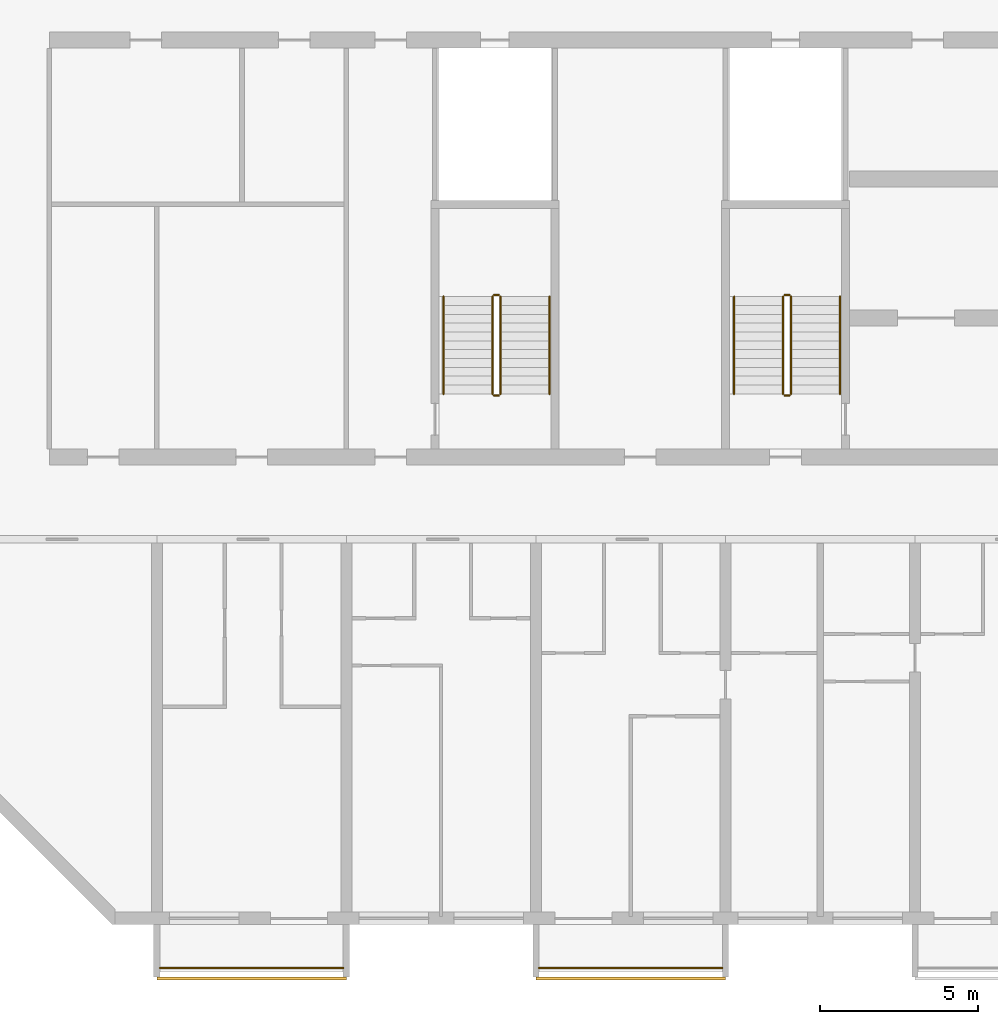
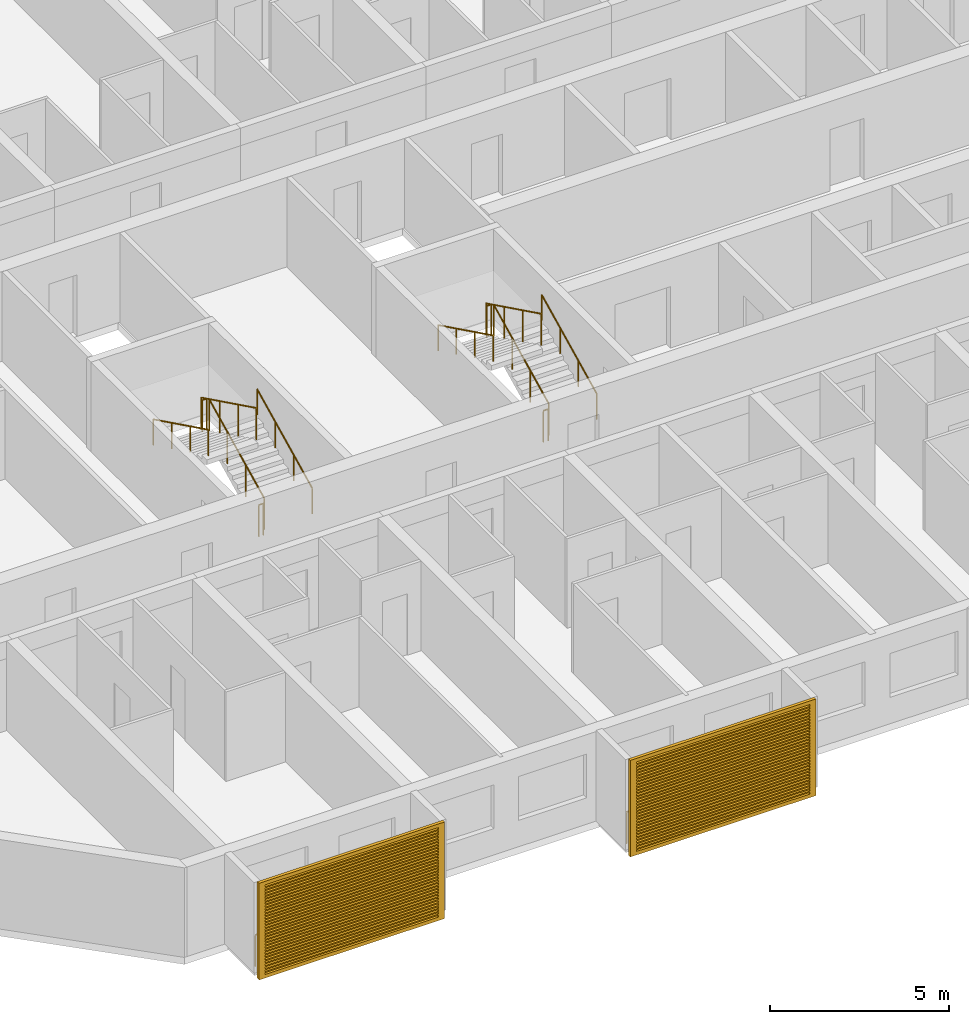
# One storey, part 18 of 31: 14 railings, 2 shading devices.
"""IFC4 building model written with IfcOpenShell, lengths in metres."""

import ifcopenshell
import ifcopenshell.guid

model = None  # the IFC model being written
_history = None  # IfcOwnerHistory: only IFC2X3 demands one
_inside = {}  # id of a spatial element -> (the spatial element, [elements in it])
_under = {}  # id of a project, library or spatial element -> (it, [spatial elements below it])
_declared = {}  # id of a project -> (the project, [libraries it declares])
_typed = {}  # id of a type object -> (the type object, [elements of that type])
_made_of = {}  # id of a material, layer set ... -> (it, [elements and type objects made of it])


def new_model(schema):
    """Start an empty IFC model of exactly this schema.

    Asked for "IFC4X3", IfcOpenShell would pick the latest addendum, in which some entities
    have other attributes; the version numbers below select the first issue.
    IFC2X3 requires an IfcOwnerHistory on every rooted entity: one is made here for all.
    """
    global model, _history
    if schema == "IFC4X3":
        model = ifcopenshell.file(schema_version=(4, 3, 0, 0))
    else:
        model = ifcopenshell.file(schema=schema)
    _inside.clear()
    _under.clear()
    _declared.clear()
    _typed.clear()
    _made_of.clear()
    _history = None
    if model.schema == "IFC2X3":
        org = make("IfcOrganization", Name="unknown")
        user = make(
            "IfcPersonAndOrganization",
            ThePerson=make("IfcPerson", FamilyName="unknown"),
            TheOrganization=org,
        )
        app = make(
            "IfcApplication",
            ApplicationDeveloper=org,
            Version="unknown",
            ApplicationFullName="unknown",
            ApplicationIdentifier="unknown",
        )
        _history = make(
            "IfcOwnerHistory",
            OwningUser=user,
            OwningApplication=app,
            ChangeAction="ADDED",
            CreationDate=0,
        )
    return model


def make(cls, **values):
    """One entity of the class cls with the attributes given. An attribute that is None is left unset."""
    return model.create_entity(
        cls, **{name: value for name, value in values.items() if value is not None}
    )


def rooted(cls, **values):
    """An entity with a GlobalId (a new one), such as an element, a storey or a relation."""
    return make(cls, GlobalId=ifcopenshell.guid.new(), OwnerHistory=_history, **values)


def si_unit(unit_type, name, prefix=None):
    """IfcSIUnit, for example si_unit("LENGTHUNIT", "METRE", prefix="MILLI")."""
    return make("IfcSIUnit", UnitType=unit_type, Prefix=prefix, Name=name)


def assignment(units):
    """IfcUnitAssignment: the units of a project."""
    return None if units is None else make("IfcUnitAssignment", Units=units)


def point(xyz):
    """IfcCartesianPoint."""
    return None if xyz is None else make("IfcCartesianPoint", Coordinates=xyz)


def direction(xyz):
    """IfcDirection."""
    return None if xyz is None else make("IfcDirection", DirectionRatios=xyz)


def frame(location, z_axis=None, x_axis=None):
    """IfcAxis2Placement3D, a coordinate frame: its origin and axes. An axis left out is left unset."""
    return make(
        "IfcAxis2Placement3D",
        Location=point(location),
        Axis=direction(z_axis),
        RefDirection=direction(x_axis),
    )


def frame_2d(location, x_axis=None):
    """IfcAxis2Placement2D, a coordinate frame in the plane: its origin and x axis."""
    return make(
        "IfcAxis2Placement2D", Location=point(location), RefDirection=direction(x_axis)
    )


def origin():
    """The frame at (0, 0, 0) with its axes left unset."""
    return frame((0.0, 0.0, 0.0))


def origin_2d():
    """The frame at (0, 0) in the plane with its x axis left unset."""
    return frame_2d((0.0, 0.0))


def place(relative_to, where):
    """IfcLocalPlacement: puts the frame where relative to a parent placement (None: the world)."""
    return make(
        "IfcLocalPlacement", PlacementRelTo=relative_to, RelativePlacement=where
    )


def context(
    kind, dimensions, precision=None, world=None, true_north=None, identifier=None
):
    """IfcGeometricRepresentationContext, for example the 3D "Model" context."""
    return make(
        "IfcGeometricRepresentationContext",
        ContextIdentifier=identifier,
        ContextType=kind,
        CoordinateSpaceDimension=dimensions,
        Precision=precision,
        WorldCoordinateSystem=world,
        TrueNorth=true_north,
    )


def subcontext(parent, identifier, kind, view, scale=None):
    """IfcGeometricRepresentationSubContext, for example "Body" below "Model"."""
    return make(
        "IfcGeometricRepresentationSubContext",
        ContextIdentifier=identifier,
        ContextType=kind,
        ParentContext=parent,
        TargetScale=scale,
        TargetView=view,
    )


def project(units=None, contexts=None):
    """IfcProject with its units and contexts."""
    return rooted(
        "IfcProject",
        Name="project",
        RepresentationContexts=contexts,
        UnitsInContext=assignment(units),
    )


def spatial(cls, under=None, at=None, **own):
    """A site, building, storey or space (cls), placed at a placement, below another one or the project."""
    s = rooted(cls, ObjectPlacement=at, **own)
    if under is not None:
        _under.setdefault(under.id(), (under, []))[1].append(s)
    return s


def polyline(points):
    """IfcPolyline through the points."""
    return make("IfcPolyline", Points=[point(p) for p in points])


def profile(cls, at=None, kind="AREA", **sizes):
    """A parametric profile (cls). Its sizes go by their IFC names, for example OverallWidth=200.0."""
    return make(cls, ProfileType=kind, Position=at, **sizes)


def circle(**sizes):
    """IfcCircleProfileDef."""
    return profile("IfcCircleProfileDef", **sizes)


def outline(outer, holes=None, kind="AREA"):
    """IfcArbitraryClosedProfileDef: a profile drawn as a closed curve; with holes, ...WithVoids."""
    if holes is None:
        return make("IfcArbitraryClosedProfileDef", ProfileType=kind, OuterCurve=outer)
    return make(
        "IfcArbitraryProfileDefWithVoids",
        ProfileType=kind,
        OuterCurve=outer,
        InnerCurves=holes,
    )


def extrude(swept, where, along, depth):
    """IfcExtrudedAreaSolid: the profile swept, set in the frame where, extruded along a direction by depth."""
    return make(
        "IfcExtrudedAreaSolid",
        SweptArea=swept,
        Position=where,
        ExtrudedDirection=direction(along),
        Depth=depth,
    )


def shape(context_of_items, identifier, shape_type, items):
    """IfcShapeRepresentation: the items that make up one representation, for example the "Body"."""
    return make(
        "IfcShapeRepresentation",
        ContextOfItems=context_of_items,
        RepresentationIdentifier=identifier,
        RepresentationType=shape_type,
        Items=items,
    )


def source(mapping_origin, context_of_items, identifier, shape_type, items):
    """IfcRepresentationMap: a shape defined once, which mapped items show again and again."""
    return make(
        "IfcRepresentationMap",
        MappingOrigin=mapping_origin,
        MappedRepresentation=shape(context_of_items, identifier, shape_type, items),
    )


def transform(
    local_origin,
    x_axis=None,
    y_axis=None,
    z_axis=None,
    scale=None,
    scale2=None,
    scale3=None,
    uniform=True,
):
    """IfcCartesianTransformationOperator3D, or its non-uniform kind. x_axis, y_axis, z_axis: its Axis1, 2, 3."""
    if uniform:
        return make(
            "IfcCartesianTransformationOperator3D",
            Axis1=direction(x_axis),
            Axis2=direction(y_axis),
            LocalOrigin=point(local_origin),
            Scale=scale,
            Axis3=direction(z_axis),
        )
    return make(
        "IfcCartesianTransformationOperator3DnonUniform",
        Axis1=direction(x_axis),
        Axis2=direction(y_axis),
        LocalOrigin=point(local_origin),
        Scale=scale,
        Axis3=direction(z_axis),
        Scale2=scale2,
        Scale3=scale3,
    )


def mapped(mapping_source, mapping_target):
    """IfcMappedItem: shows the shape of a source again, moved by a transform."""
    return make(
        "IfcMappedItem", MappingSource=mapping_source, MappingTarget=mapping_target
    )


def material(Name=None, Category=None):
    """IfcMaterial."""
    return make("IfcMaterial", Name=Name, Category=Category)


def material_profile(
    of_material, cross_section, Name=None, Category=None, Priority=None
):
    """IfcMaterialProfile: a cross section and its material."""
    return make(
        "IfcMaterialProfile",
        Name=Name,
        Material=of_material,
        Profile=cross_section,
        Priority=Priority,
        Category=Category,
    )


def profile_set(profiles, Name=None, composite=None):
    """IfcMaterialProfileSet."""
    return make(
        "IfcMaterialProfileSet",
        Name=Name,
        MaterialProfiles=profiles,
        CompositeProfile=composite,
    )


def made_of(thing, what):
    """Note that an element or type object is made of a material, layer set ...; save() writes the relation."""
    if what is not None:
        _made_of.setdefault(what.id(), (what, []))[1].append(thing)
    return thing


def type_object(cls, material=None, **own):
    """A type object (cls), such as IfcWallType, which elements share."""
    return made_of(rooted(cls, **own), material)


def element(
    cls,
    number,
    at=None,
    inside=None,
    cuts=None,
    type_object=None,
    material=None,
    context=None,
    identifier="Body",
    shape_type=None,
    held_by="IfcProductDefinitionShape",
    body=None,
    shapes=None,
    **own,
):
    """One element of the class cls, such as IfcWall. Its Tag is "e" and its number.

    at: its placement. inside: the storey or other place that contains it. cuts: it is an
    opening in that element (IfcRelVoidsElement). A single representation is given by context,
    identifier, shape_type and body (its items); several are given by shapes. held_by: the class
    of the entity that holds the representations. save() writes the other relations.
    """
    e = rooted(cls, Tag="e%d" % number, ObjectPlacement=at, **own)
    if body is not None:
        shapes = [shape(context, identifier, shape_type, body)]
    if shapes is not None:
        e.Representation = make(held_by, Representations=shapes)
    if inside is not None:
        _inside.setdefault(inside.id(), (inside, []))[1].append(e)
    if cuts is not None:
        rooted(
            "IfcRelVoidsElement", RelatingBuildingElement=cuts, RelatedOpeningElement=e
        )
    if type_object is not None:
        _typed.setdefault(type_object.id(), (type_object, []))[1].append(e)
    return made_of(e, material)


def aggregate(whole, parts):
    """IfcRelAggregates: a whole, such as a stair, and the parts it consists of."""
    return rooted("IfcRelAggregates", RelatingObject=whole, RelatedObjects=parts)


def save(model, path):
    """Write the relations noted so far, then the file.

    IfcRelAggregates (storeys below a building ...), IfcRelContainedInSpatialStructure (elements
    in a storey), IfcRelDefinesByType, IfcRelAssociatesMaterial and IfcRelDeclares: one each for
    every whole, place, type object, material and project.
    """
    for whole, parts in _under.values():
        aggregate(whole, parts)
    for where, things in _inside.values():
        rooted(
            "IfcRelContainedInSpatialStructure",
            RelatedElements=things,
            RelatingStructure=where,
        )
    for kind, things in _typed.values():
        rooted("IfcRelDefinesByType", RelatedObjects=things, RelatingType=kind)
    for what, things in _made_of.values():
        rooted("IfcRelAssociatesMaterial", RelatedObjects=things, RelatingMaterial=what)
    for by, libraries in _declared.values():
        rooted("IfcRelDeclares", RelatingContext=by, RelatedDefinitions=libraries)
    model.write(path)


model = new_model("IFC4")

# Units and contexts
model_context = context("Model", 3, precision=1e-05, world=origin(), true_north=direction((0.0, 1.0)))
body_context = subcontext(model_context, "Body", "Model", "MODEL_VIEW")
ifc_project = project(units=[si_unit("LENGTHUNIT", "METRE"), si_unit("AREAUNIT", "SQUARE_METRE"), si_unit("VOLUMEUNIT", "CUBIC_METRE"), si_unit("PLANEANGLEUNIT", "RADIAN"), si_unit("MASSUNIT", "GRAM", prefix="KILO")], contexts=[model_context])

# Site, building, storey
site_placement = place(None, origin())
site = spatial("IfcSite", under=ifc_project, at=site_placement, CompositionType="ELEMENT")
building_placement = place(site_placement, origin())
building = spatial("IfcBuilding", under=site, at=building_placement, Name="Poui Terraces", CompositionType="ELEMENT")
storey_placement = place(building_placement, frame((0.0, 0.0, 82.800048828125)))
storey = spatial("IfcBuildingStorey", under=building, at=storey_placement, Name="L22", CompositionType="ELEMENT", Elevation=82.800048828125)

# Railings
ifc_material_1 = material(Name="Painted steel fretwork", Category="steel")
railing_type_1 = type_object("IfcRailingType", Name="BALCONY GUARD 1100", PredefinedType="GUARDRAIL", material=ifc_material_1)
for number, where, name in (
    (1, (12.10009765625, -1.570068359375, 0.0), "BALCONY GUARD"),
    (2, (24.10009765625, -1.570068359375, 0.0), "BALCONY GUARD"),
):
    element("IfcRailing", number, at=place(storey_placement, frame(where)), inside=storey, type_object=railing_type_1, Name=name, PredefinedType="GUARDRAIL", context=body_context, shape_type="SweptSolid", body=[
        extrude(circle(Radius=0.02392578125, at=origin_2d()), frame((0.0, 0.0, 1.076171875), z_axis=(1.0, 0.0, 0.0), x_axis=(0.0, 1.0, 0.0)), (0.0, 0.0, 1.0), 5.7998046875),
        extrude(circle(Radius=0.02099609375, at=origin_2d()), origin(), (0.0, 0.0, 1.0), 1.052001953125),
        extrude(circle(Radius=0.02099609375, at=origin_2d()), frame((0.966552734375, 0.0, 0.0)), (0.0, 0.0, 1.0), 1.052001953125),
        extrude(circle(Radius=0.02099609375, at=origin_2d()), frame((1.933349609375, 0.0, 0.0)), (0.0, 0.0, 1.0), 1.052001953125),
        extrude(circle(Radius=0.02099609375, at=origin_2d()), frame((2.89990234375, 0.0, 0.0)), (0.0, 0.0, 1.0), 1.052001953125),
        extrude(circle(Radius=0.02099609375, at=origin_2d()), frame((3.866455078125, 0.0, 0.0)), (0.0, 0.0, 1.0), 1.052001953125),
        extrude(circle(Radius=0.02099609375, at=origin_2d()), frame((4.833251953125, 0.0, 0.0)), (0.0, 0.0, 1.0), 1.052001953125),
        extrude(circle(Radius=0.02099609375, at=origin_2d()), frame((5.7998046875, 0.0, 0.0)), (0.0, 0.0, 1.0), 1.052001953125),
    ])
ifc_material_2 = material(Name="Galvanised steel balustrade", Category="steel")
railing_type_2 = type_object("IfcRailingType", Name="STAIR GUARD 1100", PredefinedType="GUARDRAIL", material=ifc_material_2)
railing_1_placement = place(storey_placement, frame((32.074951171875, 16.60009765625, 0.137451171875)))
element("IfcRailing", 3, at=railing_1_placement, inside=storey, type_object=railing_type_2, Name="L22 ST-CW stair guard 1", PredefinedType="GUARDRAIL", context=body_context, shape_type="SweptSolid", body=[
    extrude(circle(Radius=0.02392578125, at=origin_2d()), frame((0.0, 0.0, 1.076171875), z_axis=(0.0, 0.897606190399, 0.440798283751), x_axis=(-1.0, 0.0, 0.0)), (0.0, 0.0, 1.0), 3.43115234375),
    extrude(circle(Radius=0.02099609375, at=origin_2d()), origin(), (0.0, 0.0, 1.0), 1.052001953125),
    extrude(circle(Radius=0.02099609375, at=origin_2d()), frame((0.0, 1.026611328125, 0.504150390625)), (0.0, 0.0, 1.0), 1.052001953125),
    extrude(circle(Radius=0.02099609375, at=origin_2d()), frame((0.0, 2.05322265625, 1.00830078125)), (0.0, 0.0, 1.0), 1.052001953125),
    extrude(circle(Radius=0.02099609375, at=origin_2d()), frame((0.0, 3.079833984375, 1.512451171875)), (0.0, 0.0, 1.0), 1.052001953125),
])
railing_2_placement = place(storey_placement, frame((32.02490234375, 19.72998046875, 1.64990234375)))
element("IfcRailing", 4, at=railing_2_placement, inside=storey, type_object=railing_type_2, Name="L22 ST-CW stair guard 2", PredefinedType="GUARDRAIL", context=body_context, shape_type="SweptSolid", body=[
    extrude(circle(Radius=0.02392578125, at=origin_2d()), frame((0.0, 0.0, 1.076171875), z_axis=(-1.0, 0.0, 0.0), x_axis=(0.0, -1.0, 0.0)), (0.0, 0.0, 1.0), 0.14990234375),
    extrude(circle(Radius=0.02099609375, at=origin_2d()), origin(), (0.0, 0.0, 1.0), 1.052001953125),
    extrude(circle(Radius=0.02099609375, at=origin_2d()), frame((-0.14990234375, 0.0, 0.0)), (0.0, 0.0, 1.0), 1.052001953125),
])
railing_3_placement = place(storey_placement, frame((31.824951171875, 19.679931640625, 1.787353515625)))
element("IfcRailing", 5, at=railing_3_placement, inside=storey, type_object=railing_type_2, Name="L22 ST-CW stair guard 3", PredefinedType="GUARDRAIL", context=body_context, shape_type="SweptSolid", body=[
    extrude(circle(Radius=0.02392578125, at=origin_2d()), frame((0.0, 0.0, 1.076171875), z_axis=(0.0, -0.897578036475, 0.440855609512), x_axis=(1.0, 0.0, 0.0)), (0.0, 0.0, 1.0), 3.43115234375),
    extrude(circle(Radius=0.02099609375, at=origin_2d()), origin(), (0.0, 0.0, 1.0), 1.052001953125),
    extrude(circle(Radius=0.02099609375, at=origin_2d()), frame((0.0, -1.026611328125, 0.504150390625)), (0.0, 0.0, 1.0), 1.052001953125),
    extrude(circle(Radius=0.02099609375, at=origin_2d()), frame((0.0, -2.05322265625, 1.008544921875)), (0.0, 0.0, 1.0), 1.052001953125),
    extrude(circle(Radius=0.02099609375, at=origin_2d()), frame((0.0, -3.079833984375, 1.5126953125)), (0.0, 0.0, 1.0), 1.052001953125),
])
railing_4_placement = place(storey_placement, frame((32.02490234375, 16.550048828125, 0.0)))
element("IfcRailing", 6, at=railing_4_placement, inside=storey, type_object=railing_type_2, Name="L22 ST-CW stair guard 4", PredefinedType="GUARDRAIL", context=body_context, shape_type="SweptSolid", body=[
    extrude(circle(Radius=0.02392578125, at=origin_2d()), frame((0.0, 0.0, 1.076171875), z_axis=(-1.0, 0.0, 0.0), x_axis=(0.0, -1.0, 0.0)), (0.0, 0.0, 1.0), 0.14990234375),
    extrude(circle(Radius=0.02099609375, at=origin_2d()), origin(), (0.0, 0.0, 1.0), 1.052001953125),
    extrude(circle(Radius=0.02099609375, at=origin_2d()), frame((-0.14990234375, 0.0, 0.0)), (0.0, 0.0, 1.0), 1.052001953125),
])
railing_5_placement = place(storey_placement, frame((22.875, 16.60009765625, 0.137451171875)))
element("IfcRailing", 7, at=railing_5_placement, inside=storey, type_object=railing_type_2, Name="L22 ST-W stair guard 1", PredefinedType="GUARDRAIL", context=body_context, shape_type="SweptSolid", body=[
    extrude(circle(Radius=0.02392578125, at=origin_2d()), frame((0.0, 0.0, 1.076171875), z_axis=(0.0, 0.897606190399, 0.440798283751), x_axis=(-1.0, 0.0, 0.0)), (0.0, 0.0, 1.0), 3.43115234375),
    extrude(circle(Radius=0.02099609375, at=origin_2d()), origin(), (0.0, 0.0, 1.0), 1.052001953125),
    extrude(circle(Radius=0.02099609375, at=origin_2d()), frame((0.0, 1.026611328125, 0.504150390625)), (0.0, 0.0, 1.0), 1.052001953125),
    extrude(circle(Radius=0.02099609375, at=origin_2d()), frame((0.0, 2.05322265625, 1.00830078125)), (0.0, 0.0, 1.0), 1.052001953125),
    extrude(circle(Radius=0.02099609375, at=origin_2d()), frame((0.0, 3.079833984375, 1.512451171875)), (0.0, 0.0, 1.0), 1.052001953125),
])
railing_6_placement = place(storey_placement, frame((22.824951171875, 19.72998046875, 1.64990234375)))
element("IfcRailing", 8, at=railing_6_placement, inside=storey, type_object=railing_type_2, Name="L22 ST-W stair guard 2", PredefinedType="GUARDRAIL", context=body_context, shape_type="SweptSolid", body=[
    extrude(circle(Radius=0.02392578125, at=origin_2d()), frame((0.0, 0.0, 1.076171875), z_axis=(-1.0, 0.0, 0.0), x_axis=(0.0, -1.0, 0.0)), (0.0, 0.0, 1.0), 0.14990234375),
    extrude(circle(Radius=0.02099609375, at=origin_2d()), origin(), (0.0, 0.0, 1.0), 1.052001953125),
    extrude(circle(Radius=0.02099609375, at=origin_2d()), frame((-0.14990234375, 0.0, 0.0)), (0.0, 0.0, 1.0), 1.052001953125),
])
railing_7_placement = place(storey_placement, frame((22.625, 19.679931640625, 1.787353515625)))
element("IfcRailing", 9, at=railing_7_placement, inside=storey, type_object=railing_type_2, Name="L22 ST-W stair guard 3", PredefinedType="GUARDRAIL", context=body_context, shape_type="SweptSolid", body=[
    extrude(circle(Radius=0.02392578125, at=origin_2d()), frame((0.0, 0.0, 1.076171875), z_axis=(0.0, -0.897578036475, 0.440855609512), x_axis=(1.0, 0.0, 0.0)), (0.0, 0.0, 1.0), 3.43115234375),
    extrude(circle(Radius=0.02099609375, at=origin_2d()), origin(), (0.0, 0.0, 1.0), 1.052001953125),
    extrude(circle(Radius=0.02099609375, at=origin_2d()), frame((0.0, -1.026611328125, 0.504150390625)), (0.0, 0.0, 1.0), 1.052001953125),
    extrude(circle(Radius=0.02099609375, at=origin_2d()), frame((0.0, -2.05322265625, 1.008544921875)), (0.0, 0.0, 1.0), 1.052001953125),
    extrude(circle(Radius=0.02099609375, at=origin_2d()), frame((0.0, -3.079833984375, 1.5126953125)), (0.0, 0.0, 1.0), 1.052001953125),
])
railing_8_placement = place(storey_placement, frame((22.824951171875, 16.550048828125, 0.0)))
element("IfcRailing", 10, at=railing_8_placement, inside=storey, type_object=railing_type_2, Name="L22 ST-W stair guard 4", PredefinedType="GUARDRAIL", context=body_context, shape_type="SweptSolid", body=[
    extrude(circle(Radius=0.02392578125, at=origin_2d()), frame((0.0, 0.0, 1.076171875), z_axis=(-1.0, 0.0, 0.0), x_axis=(0.0, -1.0, 0.0)), (0.0, 0.0, 1.0), 0.14990234375),
    extrude(circle(Radius=0.02099609375, at=origin_2d()), origin(), (0.0, 0.0, 1.0), 1.052001953125),
    extrude(circle(Radius=0.02099609375, at=origin_2d()), frame((-0.14990234375, 0.0, 0.0)), (0.0, 0.0, 1.0), 1.052001953125),
])
ifc_material_3 = material(Name="Stainless steel handrail", Category="steel")
railing_type_3 = type_object("IfcRailingType", Name="STAIR HANDRAIL 900", PredefinedType="HANDRAIL", material=ifc_material_3)
railing_9_placement = place(storey_placement, frame((33.625, 16.60009765625, 0.137451171875)))
element("IfcRailing", 11, at=railing_9_placement, inside=storey, type_object=railing_type_3, Name="L22 ST-CW stair handrail 1", PredefinedType="HANDRAIL", context=body_context, shape_type="SweptSolid", body=[
    extrude(circle(Radius=0.02392578125, at=origin_2d()), frame((0.0, 0.0, 0.8759765625), z_axis=(0.0, 0.897606190399, 0.440798283751), x_axis=(-1.0, 0.0, 0.0)), (0.0, 0.0, 1.0), 3.43115234375),
    extrude(circle(Radius=0.02099609375, at=origin_2d()), origin(), (0.0, 0.0, 1.0), 0.851806640625),
    extrude(circle(Radius=0.02099609375, at=origin_2d()), frame((0.0, 1.026611328125, 0.504150390625)), (0.0, 0.0, 1.0), 0.851806640625),
    extrude(circle(Radius=0.02099609375, at=origin_2d()), frame((0.0, 2.05322265625, 1.00830078125)), (0.0, 0.0, 1.0), 0.851806640625),
    extrude(circle(Radius=0.02099609375, at=origin_2d()), frame((0.0, 3.079833984375, 1.512451171875)), (0.0, 0.0, 1.0), 0.851806640625),
])
railing_10_placement = place(storey_placement, frame((30.27490234375, 19.679931640625, 1.787353515625)))
element("IfcRailing", 12, at=railing_10_placement, inside=storey, type_object=railing_type_3, Name="L22 ST-CW stair handrail 2", PredefinedType="HANDRAIL", context=body_context, shape_type="SweptSolid", body=[
    extrude(circle(Radius=0.02392578125, at=origin_2d()), frame((0.0, 0.0, 0.8759765625), z_axis=(0.0, -0.897578036475, 0.440855609512), x_axis=(1.0, 0.0, 0.0)), (0.0, 0.0, 1.0), 3.43115234375),
    extrude(circle(Radius=0.02099609375, at=origin_2d()), origin(), (0.0, 0.0, 1.0), 0.851806640625),
    extrude(circle(Radius=0.02099609375, at=origin_2d()), frame((0.0, -1.026611328125, 0.504150390625)), (0.0, 0.0, 1.0), 0.851806640625),
    extrude(circle(Radius=0.02099609375, at=origin_2d()), frame((0.0, -2.05322265625, 1.008544921875)), (0.0, 0.0, 1.0), 0.851806640625),
    extrude(circle(Radius=0.02099609375, at=origin_2d()), frame((0.0, -3.079833984375, 1.5126953125)), (0.0, 0.0, 1.0), 0.851806640625),
])
railing_11_placement = place(storey_placement, frame((24.425048828125, 16.60009765625, 0.137451171875)))
element("IfcRailing", 13, at=railing_11_placement, inside=storey, type_object=railing_type_3, Name="L22 ST-W stair handrail 1", PredefinedType="HANDRAIL", context=body_context, shape_type="SweptSolid", body=[
    extrude(circle(Radius=0.02392578125, at=origin_2d()), frame((0.0, 0.0, 0.8759765625), z_axis=(0.0, 0.897606190399, 0.440798283751), x_axis=(-1.0, 0.0, 0.0)), (0.0, 0.0, 1.0), 3.43115234375),
    extrude(circle(Radius=0.02099609375, at=origin_2d()), origin(), (0.0, 0.0, 1.0), 0.851806640625),
    extrude(circle(Radius=0.02099609375, at=origin_2d()), frame((0.0, 1.026611328125, 0.504150390625)), (0.0, 0.0, 1.0), 0.851806640625),
    extrude(circle(Radius=0.02099609375, at=origin_2d()), frame((0.0, 2.05322265625, 1.00830078125)), (0.0, 0.0, 1.0), 0.851806640625),
    extrude(circle(Radius=0.02099609375, at=origin_2d()), frame((0.0, 3.079833984375, 1.512451171875)), (0.0, 0.0, 1.0), 0.851806640625),
])
railing_12_placement = place(storey_placement, frame((21.074951171875, 19.679931640625, 1.787353515625)))
element("IfcRailing", 14, at=railing_12_placement, inside=storey, type_object=railing_type_3, Name="L22 ST-W stair handrail 2", PredefinedType="HANDRAIL", context=body_context, shape_type="SweptSolid", body=[
    extrude(circle(Radius=0.02392578125, at=origin_2d()), frame((0.0, 0.0, 0.8759765625), z_axis=(0.0, -0.897578036475, 0.440855609512), x_axis=(1.0, 0.0, 0.0)), (0.0, 0.0, 1.0), 3.43115234375),
    extrude(circle(Radius=0.02099609375, at=origin_2d()), origin(), (0.0, 0.0, 1.0), 0.851806640625),
    extrude(circle(Radius=0.02099609375, at=origin_2d()), frame((0.0, -1.026611328125, 0.504150390625)), (0.0, 0.0, 1.0), 0.851806640625),
    extrude(circle(Radius=0.02099609375, at=origin_2d()), frame((0.0, -2.05322265625, 1.008544921875)), (0.0, 0.0, 1.0), 0.851806640625),
    extrude(circle(Radius=0.02099609375, at=origin_2d()), frame((0.0, -3.079833984375, 1.5126953125)), (0.0, 0.0, 1.0), 0.851806640625),
])

# Shading devices
ifc_material_4 = material(Name="Aluminium louvre", Category="aluminium")
ifc_material_profile = material_profile(ifc_material_4, outline(polyline([(-3.0, -1.64990234375), (3.0, -1.64990234375), (3.0, 1.64990234375), (-3.0, 1.64990234375), (-3.0, -1.64990234375)]), holes=[polyline([(-2.800048828125, -1.530029296875), (2.800048828125, -1.530029296875), (2.800048828125, -1.469970703125), (-2.800048828125, -1.469970703125), (-2.800048828125, -1.530029296875)]), polyline([(-2.800048828125, -1.429931640625), (2.800048828125, -1.429931640625), (2.800048828125, -1.3701171875), (-2.800048828125, -1.3701171875), (-2.800048828125, -1.429931640625)]), polyline([(-2.800048828125, -1.330078125), (2.800048828125, -1.330078125), (2.800048828125, -1.27001953125), (-2.800048828125, -1.27001953125), (-2.800048828125, -1.330078125)]), polyline([(-2.800048828125, -1.22998046875), (2.800048828125, -1.22998046875), (2.800048828125, -1.169921875), (-2.800048828125, -1.169921875), (-2.800048828125, -1.22998046875)]), polyline([(-2.800048828125, -1.1298828125), (2.800048828125, -1.1298828125), (2.800048828125, -1.070068359375), (-2.800048828125, -1.070068359375), (-2.800048828125, -1.1298828125)]), polyline([(-2.800048828125, -1.030029296875), (2.800048828125, -1.030029296875), (2.800048828125, -0.969970703125), (-2.800048828125, -0.969970703125), (-2.800048828125, -1.030029296875)]), polyline([(-2.800048828125, -0.929931640625), (2.800048828125, -0.929931640625), (2.800048828125, -0.8701171875), (-2.800048828125, -0.8701171875), (-2.800048828125, -0.929931640625)]), polyline([(-2.800048828125, -0.830078125), (2.800048828125, -0.830078125), (2.800048828125, -0.77001953125), (-2.800048828125, -0.77001953125), (-2.800048828125, -0.830078125)]), polyline([(-2.800048828125, -0.72998046875), (2.800048828125, -0.72998046875), (2.800048828125, -0.669921875), (-2.800048828125, -0.669921875), (-2.800048828125, -0.72998046875)]), polyline([(-2.800048828125, -0.6298828125), (2.800048828125, -0.6298828125), (2.800048828125, -0.570068359375), (-2.800048828125, -0.570068359375), (-2.800048828125, -0.6298828125)]), polyline([(-2.800048828125, -0.530029296875), (2.800048828125, -0.530029296875), (2.800048828125, -0.469970703125), (-2.800048828125, -0.469970703125), (-2.800048828125, -0.530029296875)]), polyline([(-2.800048828125, -0.429931640625), (2.800048828125, -0.429931640625), (2.800048828125, -0.3701171875), (-2.800048828125, -0.3701171875), (-2.800048828125, -0.429931640625)]), polyline([(-2.800048828125, -0.330078125), (2.800048828125, -0.330078125), (2.800048828125, -0.27001953125), (-2.800048828125, -0.27001953125), (-2.800048828125, -0.330078125)]), polyline([(-2.800048828125, -0.22998046875), (2.800048828125, -0.22998046875), (2.800048828125, -0.169921875), (-2.800048828125, -0.169921875), (-2.800048828125, -0.22998046875)]), polyline([(-2.800048828125, -0.1298828125), (2.800048828125, -0.1298828125), (2.800048828125, -0.070068359375), (-2.800048828125, -0.070068359375), (-2.800048828125, -0.1298828125)]), polyline([(-2.800048828125, -0.030029296875), (2.800048828125, -0.030029296875), (2.800048828125, 0.030029296875), (-2.800048828125, 0.030029296875), (-2.800048828125, -0.030029296875)]), polyline([(-2.800048828125, 0.070068359375), (2.800048828125, 0.070068359375), (2.800048828125, 0.1298828125), (-2.800048828125, 0.1298828125), (-2.800048828125, 0.070068359375)]), polyline([(-2.800048828125, 0.169921875), (2.800048828125, 0.169921875), (2.800048828125, 0.22998046875), (-2.800048828125, 0.22998046875), (-2.800048828125, 0.169921875)]), polyline([(-2.800048828125, 0.27001953125), (2.800048828125, 0.27001953125), (2.800048828125, 0.330078125), (-2.800048828125, 0.330078125), (-2.800048828125, 0.27001953125)]), polyline([(-2.800048828125, 0.3701171875), (2.800048828125, 0.3701171875), (2.800048828125, 0.429931640625), (-2.800048828125, 0.429931640625), (-2.800048828125, 0.3701171875)]), polyline([(-2.800048828125, 0.469970703125), (2.800048828125, 0.469970703125), (2.800048828125, 0.530029296875), (-2.800048828125, 0.530029296875), (-2.800048828125, 0.469970703125)]), polyline([(-2.800048828125, 0.570068359375), (2.800048828125, 0.570068359375), (2.800048828125, 0.6298828125), (-2.800048828125, 0.6298828125), (-2.800048828125, 0.570068359375)]), polyline([(-2.800048828125, 0.669921875), (2.800048828125, 0.669921875), (2.800048828125, 0.72998046875), (-2.800048828125, 0.72998046875), (-2.800048828125, 0.669921875)]), polyline([(-2.800048828125, 0.77001953125), (2.800048828125, 0.77001953125), (2.800048828125, 0.830078125), (-2.800048828125, 0.830078125), (-2.800048828125, 0.77001953125)]), polyline([(-2.800048828125, 0.8701171875), (2.800048828125, 0.8701171875), (2.800048828125, 0.929931640625), (-2.800048828125, 0.929931640625), (-2.800048828125, 0.8701171875)]), polyline([(-2.800048828125, 0.969970703125), (2.800048828125, 0.969970703125), (2.800048828125, 1.030029296875), (-2.800048828125, 1.030029296875), (-2.800048828125, 0.969970703125)]), polyline([(-2.800048828125, 1.070068359375), (2.800048828125, 1.070068359375), (2.800048828125, 1.1298828125), (-2.800048828125, 1.1298828125), (-2.800048828125, 1.070068359375)]), polyline([(-2.800048828125, 1.169921875), (2.800048828125, 1.169921875), (2.800048828125, 1.22998046875), (-2.800048828125, 1.22998046875), (-2.800048828125, 1.169921875)]), polyline([(-2.800048828125, 1.27001953125), (2.800048828125, 1.27001953125), (2.800048828125, 1.330078125), (-2.800048828125, 1.330078125), (-2.800048828125, 1.27001953125)]), polyline([(-2.800048828125, 1.3701171875), (2.800048828125, 1.3701171875), (2.800048828125, 1.429931640625), (-2.800048828125, 1.429931640625), (-2.800048828125, 1.3701171875)]), polyline([(-2.800048828125, 1.469970703125), (2.800048828125, 1.469970703125), (2.800048828125, 1.530029296875), (-2.800048828125, 1.530029296875), (-2.800048828125, 1.469970703125)])]), Name="JALOUSIE LOUVRE SHUTTER 6000X3300")
ifc_profile_set = profile_set([ifc_material_profile], Name="Aluminium louvre")
shading_device_type = type_object("IfcShadingDeviceType", Name="JALOUSIE LOUVRE SHUTTER 6000X3300", PredefinedType="JALOUSIE", material=ifc_profile_set)
shared_shape = source(origin(), body_context, "Body", "SweptSolid", [
    extrude(outline(polyline([(-3.0, -1.64990234375), (3.0, -1.64990234375), (3.0, 1.64990234375), (-3.0, 1.64990234375), (-3.0, -1.64990234375)]), holes=[polyline([(-2.800048828125, -1.530029296875), (2.800048828125, -1.530029296875), (2.800048828125, -1.469970703125), (-2.800048828125, -1.469970703125), (-2.800048828125, -1.530029296875)]), polyline([(-2.800048828125, -1.429931640625), (2.800048828125, -1.429931640625), (2.800048828125, -1.3701171875), (-2.800048828125, -1.3701171875), (-2.800048828125, -1.429931640625)]), polyline([(-2.800048828125, -1.330078125), (2.800048828125, -1.330078125), (2.800048828125, -1.27001953125), (-2.800048828125, -1.27001953125), (-2.800048828125, -1.330078125)]), polyline([(-2.800048828125, -1.22998046875), (2.800048828125, -1.22998046875), (2.800048828125, -1.169921875), (-2.800048828125, -1.169921875), (-2.800048828125, -1.22998046875)]), polyline([(-2.800048828125, -1.1298828125), (2.800048828125, -1.1298828125), (2.800048828125, -1.070068359375), (-2.800048828125, -1.070068359375), (-2.800048828125, -1.1298828125)]), polyline([(-2.800048828125, -1.030029296875), (2.800048828125, -1.030029296875), (2.800048828125, -0.969970703125), (-2.800048828125, -0.969970703125), (-2.800048828125, -1.030029296875)]), polyline([(-2.800048828125, -0.929931640625), (2.800048828125, -0.929931640625), (2.800048828125, -0.8701171875), (-2.800048828125, -0.8701171875), (-2.800048828125, -0.929931640625)]), polyline([(-2.800048828125, -0.830078125), (2.800048828125, -0.830078125), (2.800048828125, -0.77001953125), (-2.800048828125, -0.77001953125), (-2.800048828125, -0.830078125)]), polyline([(-2.800048828125, -0.72998046875), (2.800048828125, -0.72998046875), (2.800048828125, -0.669921875), (-2.800048828125, -0.669921875), (-2.800048828125, -0.72998046875)]), polyline([(-2.800048828125, -0.6298828125), (2.800048828125, -0.6298828125), (2.800048828125, -0.570068359375), (-2.800048828125, -0.570068359375), (-2.800048828125, -0.6298828125)]), polyline([(-2.800048828125, -0.530029296875), (2.800048828125, -0.530029296875), (2.800048828125, -0.469970703125), (-2.800048828125, -0.469970703125), (-2.800048828125, -0.530029296875)]), polyline([(-2.800048828125, -0.429931640625), (2.800048828125, -0.429931640625), (2.800048828125, -0.3701171875), (-2.800048828125, -0.3701171875), (-2.800048828125, -0.429931640625)]), polyline([(-2.800048828125, -0.330078125), (2.800048828125, -0.330078125), (2.800048828125, -0.27001953125), (-2.800048828125, -0.27001953125), (-2.800048828125, -0.330078125)]), polyline([(-2.800048828125, -0.22998046875), (2.800048828125, -0.22998046875), (2.800048828125, -0.169921875), (-2.800048828125, -0.169921875), (-2.800048828125, -0.22998046875)]), polyline([(-2.800048828125, -0.1298828125), (2.800048828125, -0.1298828125), (2.800048828125, -0.070068359375), (-2.800048828125, -0.070068359375), (-2.800048828125, -0.1298828125)]), polyline([(-2.800048828125, -0.030029296875), (2.800048828125, -0.030029296875), (2.800048828125, 0.030029296875), (-2.800048828125, 0.030029296875), (-2.800048828125, -0.030029296875)]), polyline([(-2.800048828125, 0.070068359375), (2.800048828125, 0.070068359375), (2.800048828125, 0.1298828125), (-2.800048828125, 0.1298828125), (-2.800048828125, 0.070068359375)]), polyline([(-2.800048828125, 0.169921875), (2.800048828125, 0.169921875), (2.800048828125, 0.22998046875), (-2.800048828125, 0.22998046875), (-2.800048828125, 0.169921875)]), polyline([(-2.800048828125, 0.27001953125), (2.800048828125, 0.27001953125), (2.800048828125, 0.330078125), (-2.800048828125, 0.330078125), (-2.800048828125, 0.27001953125)]), polyline([(-2.800048828125, 0.3701171875), (2.800048828125, 0.3701171875), (2.800048828125, 0.429931640625), (-2.800048828125, 0.429931640625), (-2.800048828125, 0.3701171875)]), polyline([(-2.800048828125, 0.469970703125), (2.800048828125, 0.469970703125), (2.800048828125, 0.530029296875), (-2.800048828125, 0.530029296875), (-2.800048828125, 0.469970703125)]), polyline([(-2.800048828125, 0.570068359375), (2.800048828125, 0.570068359375), (2.800048828125, 0.6298828125), (-2.800048828125, 0.6298828125), (-2.800048828125, 0.570068359375)]), polyline([(-2.800048828125, 0.669921875), (2.800048828125, 0.669921875), (2.800048828125, 0.72998046875), (-2.800048828125, 0.72998046875), (-2.800048828125, 0.669921875)]), polyline([(-2.800048828125, 0.77001953125), (2.800048828125, 0.77001953125), (2.800048828125, 0.830078125), (-2.800048828125, 0.830078125), (-2.800048828125, 0.77001953125)]), polyline([(-2.800048828125, 0.8701171875), (2.800048828125, 0.8701171875), (2.800048828125, 0.929931640625), (-2.800048828125, 0.929931640625), (-2.800048828125, 0.8701171875)]), polyline([(-2.800048828125, 0.969970703125), (2.800048828125, 0.969970703125), (2.800048828125, 1.030029296875), (-2.800048828125, 1.030029296875), (-2.800048828125, 0.969970703125)]), polyline([(-2.800048828125, 1.070068359375), (2.800048828125, 1.070068359375), (2.800048828125, 1.1298828125), (-2.800048828125, 1.1298828125), (-2.800048828125, 1.070068359375)]), polyline([(-2.800048828125, 1.169921875), (2.800048828125, 1.169921875), (2.800048828125, 1.22998046875), (-2.800048828125, 1.22998046875), (-2.800048828125, 1.169921875)]), polyline([(-2.800048828125, 1.27001953125), (2.800048828125, 1.27001953125), (2.800048828125, 1.330078125), (-2.800048828125, 1.330078125), (-2.800048828125, 1.27001953125)]), polyline([(-2.800048828125, 1.3701171875), (2.800048828125, 1.3701171875), (2.800048828125, 1.429931640625), (-2.800048828125, 1.429931640625), (-2.800048828125, 1.3701171875)]), polyline([(-2.800048828125, 1.469970703125), (2.800048828125, 1.469970703125), (2.800048828125, 1.530029296875), (-2.800048828125, 1.530029296875), (-2.800048828125, 1.469970703125)])]), origin(), (0.0, 0.0, 1.0), 0.099853515625),
])
for number, where, z_axis, x_axis, name in (
    (15, (15.0, -1.85009765625, 1.449951171875), (0.0, -1.0, 0.0), (1.0, 0.0, 0.0), "JALOUSIE LOUVRE SHUTTER"),
    (16, (27.0, -1.85009765625, 1.449951171875), (0.0, -1.0, 0.0), (1.0, 0.0, 0.0), "JALOUSIE LOUVRE SHUTTER"),
):
    element("IfcShadingDevice", number, at=place(storey_placement, frame(where, z_axis=z_axis, x_axis=x_axis)), inside=storey, type_object=shading_device_type, Name=name, PredefinedType="JALOUSIE", context=body_context, shape_type="MappedRepresentation", body=[
        mapped(shared_shape, transform((0.0, 0.0, 0.0))),
    ])

save(model, "model.ifc")
